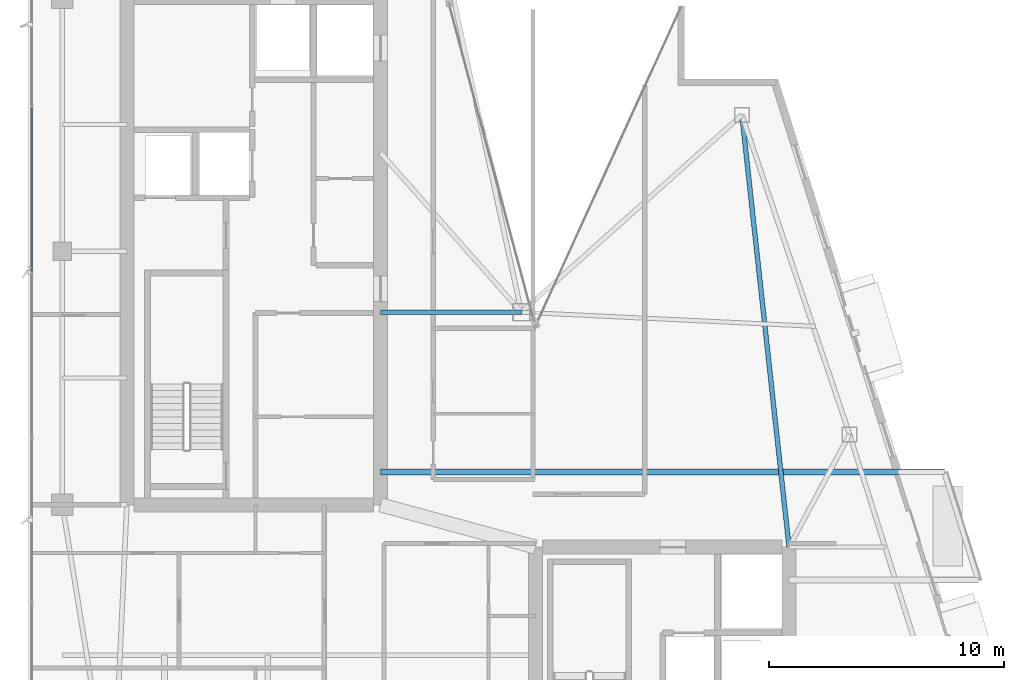
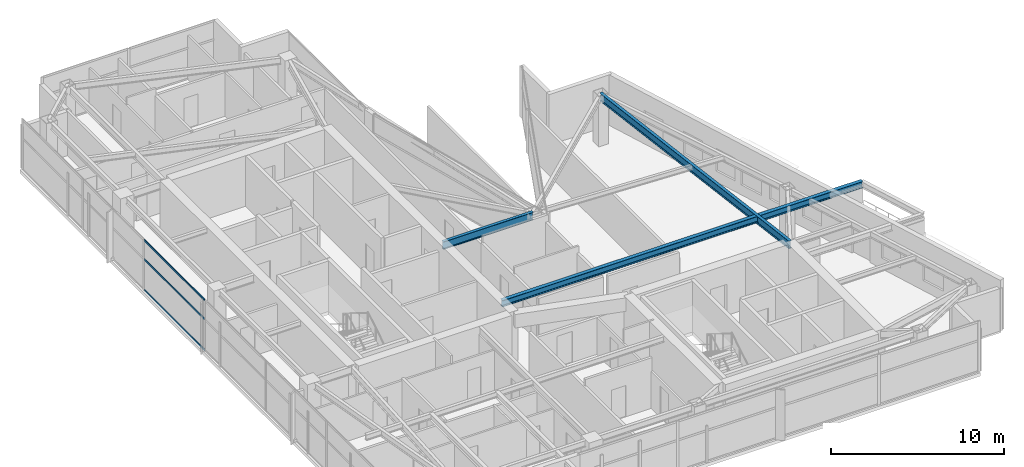
# One storey, part 11 of 27: 3 beams, 3 members, 1 element without a shape of its own.
"""IFC4 building model written with IfcOpenShell, lengths in metres."""

from ifc_helpers import new_model, si_unit, direction, frame, origin, origin_2d, place, context, subcontext, project, spatial, hollow_rectangle, i_section, extrude, material, layer, layer_set, material_profile, profile_set, type_object, element, aggregate, save


model = new_model("IFC4")

# Units and contexts
model_context = context("Model", 3, precision=1e-05, world=origin(), true_north=direction((0.0, 1.0)))
body_context = subcontext(model_context, "Body", "Model", "MODEL_VIEW")
ifc_project = project(units=[si_unit("LENGTHUNIT", "METRE"), si_unit("AREAUNIT", "SQUARE_METRE"), si_unit("VOLUMEUNIT", "CUBIC_METRE"), si_unit("PLANEANGLEUNIT", "RADIAN"), si_unit("MASSUNIT", "GRAM", prefix="KILO")], contexts=[model_context])

# Site, building, storey
site_placement = place(None, origin())
site = spatial("IfcSite", under=ifc_project, at=site_placement, CompositionType="ELEMENT")
building_placement = place(site_placement, origin())
building = spatial("IfcBuilding", under=site, at=building_placement, Name="Calvorn Quay Hotel", CompositionType="ELEMENT")
storey_placement = place(building_placement, frame((0.0, 0.0, 294.89990234375)))
storey = spatial("IfcBuildingStorey", under=building, at=storey_placement, Name="L73", CompositionType="ELEMENT", Elevation=294.89990234375)

# Beams
ifc_material_1 = material(Name="Steel Q355B", Category="steel")
ifc_material_profile_1 = material_profile(ifc_material_1, i_section(OverallWidth=0.25, OverallDepth=0.449951171875, WebThickness=0.011962890625, FlangeThickness=0.01611328125, FilletRadius=0.01611328125, at=origin_2d()), Name="HN450x250x12x16")
ifc_profile_set_1 = profile_set([ifc_material_profile_1], Name="Steel Q355B")
beam_type_1 = type_object("IfcBeamType", Name="BM-CANT-BALC", PredefinedType="BEAM", material=ifc_profile_set_1)
beam_1_placement = place(storey_placement, frame((15.0, 18.199951171875, 3.315185546875), z_axis=(1.0, 0.0, 0.0), x_axis=(0.0, 1.0, 0.0)))
element("IfcBeam", 1, at=beam_1_placement, inside=storey, type_object=beam_type_1, Name="Cantilever Balcony Beam BCB-L74-1B", PredefinedType="BEAM", context=body_context, shape_type="SweptSolid", body=[
    extrude(i_section(OverallWidth=0.25, OverallDepth=0.449951171875, WebThickness=0.011962890625, FlangeThickness=0.01611328125, FilletRadius=0.01611328125, at=origin_2d()), origin(), (0.0, 0.0, 1.0), 24.02001953125),
])
ifc_material_2 = material(Name="Steel Q355B", Category="steel")
ifc_material_profile_2 = material_profile(ifc_material_2, i_section(OverallWidth=0.199951171875, OverallDepth=0.550048828125, WebThickness=0.010009765625, FlangeThickness=0.01611328125, FilletRadius=0.01806640625, at=origin_2d()), Name="HN550x200x10x16")
ifc_profile_set_2 = profile_set([ifc_material_profile_2], Name="Steel Q355B")
beam_type_2 = type_object("IfcBeamType", Name="BM-GIRD-UPP", PredefinedType="BEAM", material=ifc_profile_set_2)
beam_2_placement = place(storey_placement, frame((21.0, 25.0, 3.26513671875), z_axis=(-1.0, 0.0, 0.0), x_axis=(0.0, -1.0, 0.0)))
element("IfcBeam", 2, at=beam_2_placement, inside=storey, type_object=beam_type_2, Name="Beam BG-L73-W7", PredefinedType="BEAM", context=body_context, shape_type="SweptSolid", body=[
    extrude(i_section(OverallWidth=0.199951171875, OverallDepth=0.550048828125, WebThickness=0.010009765625, FlangeThickness=0.01611328125, FilletRadius=0.01806640625, at=origin_2d()), origin(), (0.0, 0.0, 1.0), 6.0),
])
beam_3_placement = place(storey_placement, frame((32.39990234375, 15.0, 3.26513671875), z_axis=(-0.108529038315, 0.994093279246, 0.0), x_axis=(-0.994093279246, -0.108529038315, 0.0)))
element("IfcBeam", 3, at=beam_3_placement, inside=storey, type_object=beam_type_2, Name="Beam BG-L73-E3", PredefinedType="BEAM", context=body_context, shape_type="SweptSolid", body=[
    extrude(i_section(OverallWidth=0.199951171875, OverallDepth=0.550048828125, WebThickness=0.010009765625, FlangeThickness=0.01611328125, FilletRadius=0.01806640625, at=origin_2d()), origin(), (0.0, 0.0, 1.0), 18.50927734375),
])

# Curtain wall, members
ifc_material_3 = material(Name="Champagne Bronze Anodised Aluminium and Low-E Glass", Category="aluminium")
ifc_layer = layer(ifc_material_3, 0.219970703125)
ifc_layer_set = layer_set([ifc_layer], Name="CW-SYS-Z4")
curtain_wall_type = type_object("IfcCurtainWallType", Name="CW-SYS-Z4", PredefinedType="NOTDEFINED", material=ifc_layer_set)
curtain_wall_placement = place(storey_placement, origin())
curtain_wall = element("IfcCurtainWall", 4, at=curtain_wall_placement, inside=storey, type_object=curtain_wall_type, Name="Tower West Curtain Wall (L73)", PredefinedType="NOTDEFINED")
ifc_material_4 = material(Name="Champagne Bronze Anodised Aluminium 6063-T6", Category="aluminium")
ifc_material_profile_3 = material_profile(ifc_material_4, hollow_rectangle(XDim=0.054931640625, YDim=0.1298828125, WallThickness=0.003173828125, at=origin_2d()), Name="ALU-T130x55x3.2")
ifc_profile_set_3 = profile_set([ifc_material_profile_3], Name="Champagne Bronze Anodised Aluminium 6063-T6")
member_type = type_object("IfcMemberType", Name="CW-SYS-Z4-TRN", PredefinedType="USERDEFINED", material=ifc_profile_set_3)
member_1_placement = place(storey_placement, frame((0.14990234375, 26.72998046875, 0.030029296875), z_axis=(0.0, 1.0, 0.0), x_axis=(-1.0, 0.0, 0.0)))
member_1 = element("IfcMember", 5, at=member_1_placement, type_object=member_type, Name="CW-L73-W transom 4.1", ObjectType="TRANSOM", PredefinedType="USERDEFINED", context=body_context, shape_type="SweptSolid", body=[
    extrude(hollow_rectangle(XDim=0.054931640625, YDim=0.1298828125, WallThickness=0.003173828125, at=origin_2d()), origin(), (0.0, 0.0, 1.0), 6.973388671875),
])
member_2_placement = place(storey_placement, frame((0.14990234375, 26.72998046875, 2.2001953125), z_axis=(0.0, 1.0, 0.0), x_axis=(-1.0, 0.0, 0.0)))
member_2 = element("IfcMember", 6, at=member_2_placement, type_object=member_type, Name="CW-L73-W transom 4.2", ObjectType="TRANSOM", PredefinedType="USERDEFINED", context=body_context, shape_type="SweptSolid", body=[
    extrude(hollow_rectangle(XDim=0.054931640625, YDim=0.1298828125, WallThickness=0.003173828125, at=origin_2d()), origin(), (0.0, 0.0, 1.0), 6.973388671875),
])
member_3_placement = place(storey_placement, frame((0.14990234375, 26.72998046875, 3.530029296875), z_axis=(0.0, 1.0, 0.0), x_axis=(-1.0, 0.0, 0.0)))
member_3 = element("IfcMember", 7, at=member_3_placement, type_object=member_type, Name="CW-L73-W transom 4.3", ObjectType="TRANSOM", PredefinedType="USERDEFINED", context=body_context, shape_type="SweptSolid", body=[
    extrude(hollow_rectangle(XDim=0.054931640625, YDim=0.1298828125, WallThickness=0.003173828125, at=origin_2d()), origin(), (0.0, 0.0, 1.0), 6.973388671875),
])
aggregate(curtain_wall, [member_1, member_2, member_3])

save(model, "model.ifc")
